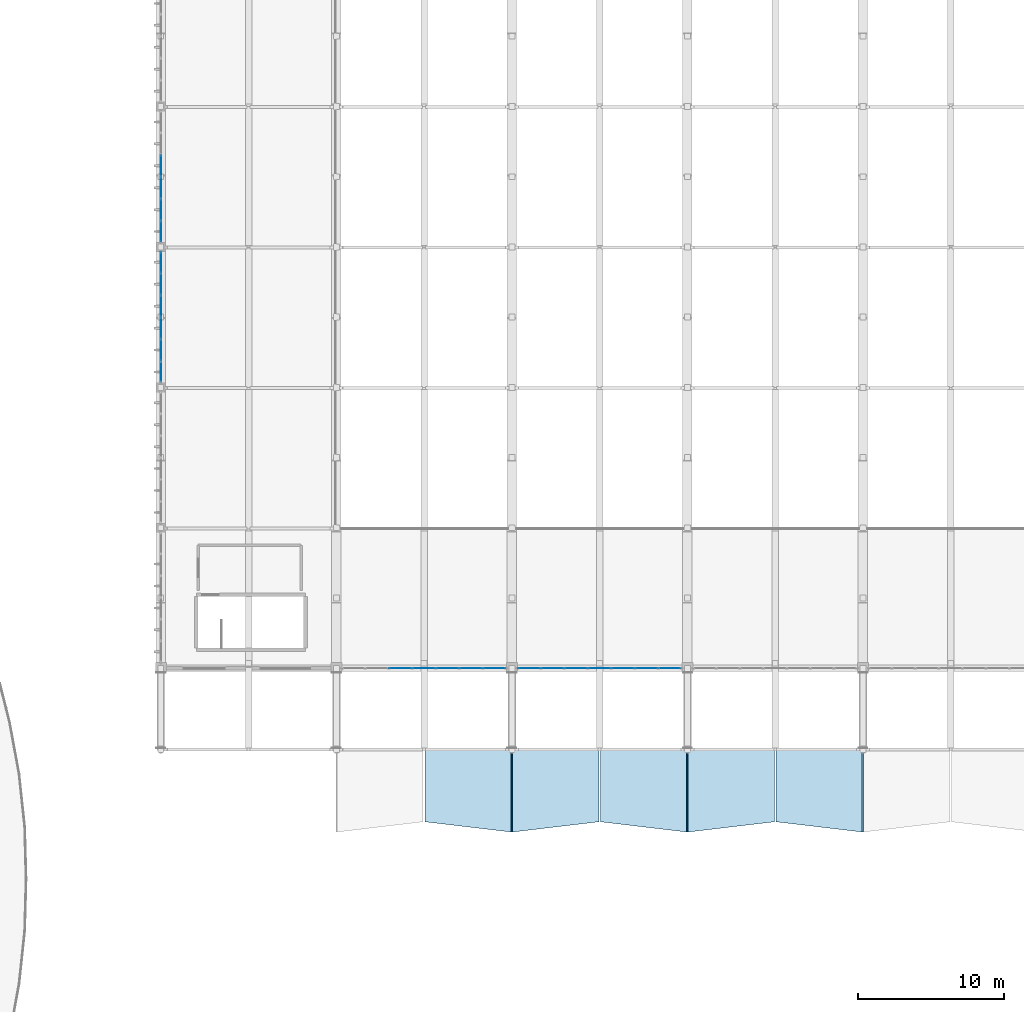
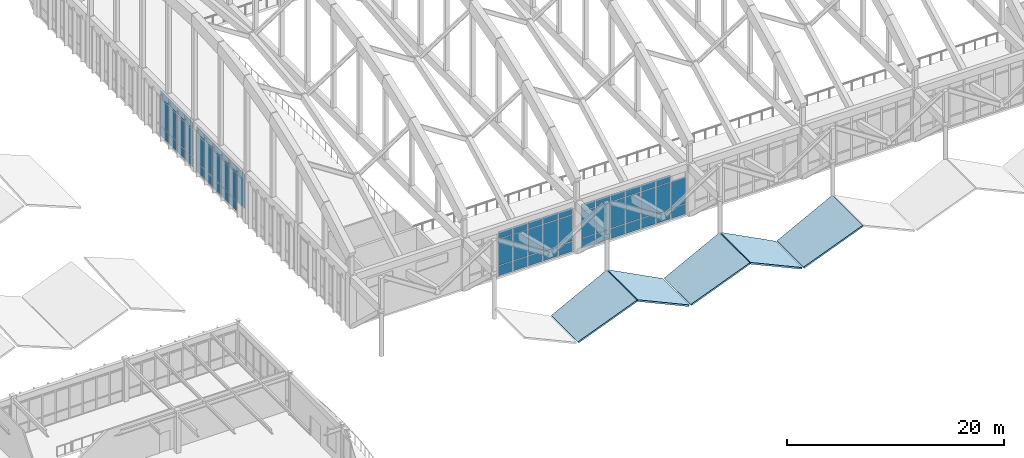
# One storey, part 190 of 236: 64 plates, 5 slabs, 4 elements without a shape of their own.
"""IFC4 building model written with IfcOpenShell, lengths in metres."""

from ifc_helpers import new_model, si_unit, direction, frame, origin, origin_2d, place, context, subcontext, project, spatial, polyline, rectangle, outline, extrude, material, layer, layer_set, type_object, element, aggregate, save


model = new_model("IFC4")

# Units and contexts
model_context = context("Model", 3, precision=1e-05, world=origin(), true_north=direction((0.0, 1.0)))
body_context = subcontext(model_context, "Body", "Model", "MODEL_VIEW")
ifc_project = project(units=[si_unit("LENGTHUNIT", "METRE"), si_unit("AREAUNIT", "SQUARE_METRE"), si_unit("VOLUMEUNIT", "CUBIC_METRE"), si_unit("PLANEANGLEUNIT", "RADIAN"), si_unit("MASSUNIT", "GRAM", prefix="KILO")], contexts=[model_context])

# Site, building, storey
site_placement = place(None, origin())
site = spatial("IfcSite", under=ifc_project, at=site_placement, CompositionType="ELEMENT")
building_placement = place(site_placement, origin())
building = spatial("IfcBuilding", under=site, at=building_placement, Name="Pandanus Reach Market Hall", CompositionType="ELEMENT")
storey_placement = place(building_placement, frame((0.0, 0.0, 5.39990234375)))
storey = spatial("IfcBuildingStorey", under=building, at=storey_placement, Name="L01", CompositionType="ELEMENT", Elevation=5.39990234375)

# Curtain wall, plates
ifc_material_1 = material(Name="Bronze anodised aluminium and low-E glass", Category="aluminium")
ifc_layer_1 = layer(ifc_material_1, 0.199951171875, Name="CW-02")
ifc_layer_set_1 = layer_set([ifc_layer_1], Name="Bronze anodised aluminium and low-E glass")
curtain_wall_type_1 = type_object("IfcCurtainWallType", Name="CW-02", PredefinedType="NOTDEFINED", material=ifc_layer_set_1)
curtain_wall_1_placement = place(storey_placement, origin())
curtain_wall_1 = element("IfcCurtainWall", 1, at=curtain_wall_1_placement, inside=storey, type_object=curtain_wall_type_1, Name="Glazed curtain wall CW-02 CW-0002", PredefinedType="NOTDEFINED")
ifc_material_2 = material(Name="Acoustic laminated solar double glazing", Category="glass")
ifc_layer_2 = layer(ifc_material_2, 0.031982421875, Name="CW-P2")
ifc_layer_set_2 = layer_set([ifc_layer_2], Name="Acoustic laminated solar double glazing")
plate_type = type_object("IfcPlateType", Name="CW-P2", PredefinedType="CURTAIN_PANEL", material=ifc_layer_set_2)
plate_1_placement = place(storey_placement, frame((64.392822265625, 28.800048828125, 0.0751953125), z_axis=(0.0, 0.0, 1.0), x_axis=(1.0, 0.0, 0.0)))
plate_1 = element("IfcPlate", 2, at=plate_1_placement, type_object=plate_type, Name="CW-02 panel 3.1", PredefinedType="CURTAIN_PANEL", context=body_context, shape_type="SweptSolid", body=[
    extrude(rectangle(XDim=1.5322265625, YDim=0.031982421875, at=origin_2d()), origin(), (0.0, 0.0, 1.0), 1.08740234375),
])
plate_2_placement = place(storey_placement, frame((64.392822265625, 28.800048828125, 1.23779296875), z_axis=(0.0, 0.0, 1.0), x_axis=(1.0, 0.0, 0.0)))
plate_2 = element("IfcPlate", 3, at=plate_2_placement, type_object=plate_type, Name="CW-02 panel 3.2", PredefinedType="CURTAIN_PANEL", context=body_context, shape_type="SweptSolid", body=[
    extrude(rectangle(XDim=1.5322265625, YDim=0.031982421875, at=origin_2d()), origin(), (0.0, 0.0, 1.0), 2.925048828125),
])
plate_3_placement = place(storey_placement, frame((64.392822265625, 28.800048828125, 4.237548828125), z_axis=(0.0, 0.0, 1.0), x_axis=(1.0, 0.0, 0.0)))
plate_3 = element("IfcPlate", 4, at=plate_3_placement, type_object=plate_type, Name="CW-02 panel 3.3", PredefinedType="CURTAIN_PANEL", context=body_context, shape_type="SweptSolid", body=[
    extrude(rectangle(XDim=1.5322265625, YDim=0.031982421875, at=origin_2d()), origin(), (0.0, 0.0, 1.0), 0.78759765625),
])
plate_4_placement = place(storey_placement, frame((66.0, 28.800048828125, 0.0751953125), z_axis=(0.0, 0.0, 1.0), x_axis=(1.0, 0.0, 0.0)))
plate_4 = element("IfcPlate", 5, at=plate_4_placement, type_object=plate_type, Name="CW-02 panel 4.1", PredefinedType="CURTAIN_PANEL", context=body_context, shape_type="SweptSolid", body=[
    extrude(rectangle(XDim=1.5322265625, YDim=0.031982421875, at=origin_2d()), origin(), (0.0, 0.0, 1.0), 1.08740234375),
])
plate_5_placement = place(storey_placement, frame((66.0, 28.800048828125, 1.23779296875), z_axis=(0.0, 0.0, 1.0), x_axis=(1.0, 0.0, 0.0)))
plate_5 = element("IfcPlate", 6, at=plate_5_placement, type_object=plate_type, Name="CW-02 panel 4.2", PredefinedType="CURTAIN_PANEL", context=body_context, shape_type="SweptSolid", body=[
    extrude(rectangle(XDim=1.5322265625, YDim=0.031982421875, at=origin_2d()), origin(), (0.0, 0.0, 1.0), 2.925048828125),
])
plate_6_placement = place(storey_placement, frame((66.0, 28.800048828125, 4.237548828125), z_axis=(0.0, 0.0, 1.0), x_axis=(1.0, 0.0, 0.0)))
plate_6 = element("IfcPlate", 7, at=plate_6_placement, type_object=plate_type, Name="CW-02 panel 4.3", PredefinedType="CURTAIN_PANEL", context=body_context, shape_type="SweptSolid", body=[
    extrude(rectangle(XDim=1.5322265625, YDim=0.031982421875, at=origin_2d()), origin(), (0.0, 0.0, 1.0), 0.78759765625),
])
plate_7_placement = place(storey_placement, frame((67.607177734375, 28.800048828125, 0.0751953125), z_axis=(0.0, 0.0, 1.0), x_axis=(1.0, 0.0, 0.0)))
plate_7 = element("IfcPlate", 8, at=plate_7_placement, type_object=plate_type, Name="CW-02 panel 5.1", PredefinedType="CURTAIN_PANEL", context=body_context, shape_type="SweptSolid", body=[
    extrude(rectangle(XDim=1.5322265625, YDim=0.031982421875, at=origin_2d()), origin(), (0.0, 0.0, 1.0), 1.08740234375),
])
plate_8_placement = place(storey_placement, frame((67.607177734375, 28.800048828125, 1.23779296875), z_axis=(0.0, 0.0, 1.0), x_axis=(1.0, 0.0, 0.0)))
plate_8 = element("IfcPlate", 9, at=plate_8_placement, type_object=plate_type, Name="CW-02 panel 5.2", PredefinedType="CURTAIN_PANEL", context=body_context, shape_type="SweptSolid", body=[
    extrude(rectangle(XDim=1.5322265625, YDim=0.031982421875, at=origin_2d()), origin(), (0.0, 0.0, 1.0), 2.925048828125),
])
plate_9_placement = place(storey_placement, frame((67.607177734375, 28.800048828125, 4.237548828125), z_axis=(0.0, 0.0, 1.0), x_axis=(1.0, 0.0, 0.0)))
plate_9 = element("IfcPlate", 10, at=plate_9_placement, type_object=plate_type, Name="CW-02 panel 5.3", PredefinedType="CURTAIN_PANEL", context=body_context, shape_type="SweptSolid", body=[
    extrude(rectangle(XDim=1.5322265625, YDim=0.031982421875, at=origin_2d()), origin(), (0.0, 0.0, 1.0), 0.78759765625),
])
plate_10_placement = place(storey_placement, frame((69.21435546875, 28.800048828125, 0.0751953125), z_axis=(0.0, 0.0, 1.0), x_axis=(1.0, 0.0, 0.0)))
plate_10 = element("IfcPlate", 11, at=plate_10_placement, type_object=plate_type, Name="CW-02 panel 6.1", PredefinedType="CURTAIN_PANEL", context=body_context, shape_type="SweptSolid", body=[
    extrude(rectangle(XDim=1.5322265625, YDim=0.031982421875, at=origin_2d()), origin(), (0.0, 0.0, 1.0), 1.08740234375),
])
plate_11_placement = place(storey_placement, frame((69.21435546875, 28.800048828125, 1.23779296875), z_axis=(0.0, 0.0, 1.0), x_axis=(1.0, 0.0, 0.0)))
plate_11 = element("IfcPlate", 12, at=plate_11_placement, type_object=plate_type, Name="CW-02 panel 6.2", PredefinedType="CURTAIN_PANEL", context=body_context, shape_type="SweptSolid", body=[
    extrude(rectangle(XDim=1.5322265625, YDim=0.031982421875, at=origin_2d()), origin(), (0.0, 0.0, 1.0), 2.925048828125),
])
plate_12_placement = place(storey_placement, frame((69.21435546875, 28.800048828125, 4.237548828125), z_axis=(0.0, 0.0, 1.0), x_axis=(1.0, 0.0, 0.0)))
plate_12 = element("IfcPlate", 13, at=plate_12_placement, type_object=plate_type, Name="CW-02 panel 6.3", PredefinedType="CURTAIN_PANEL", context=body_context, shape_type="SweptSolid", body=[
    extrude(rectangle(XDim=1.5322265625, YDim=0.031982421875, at=origin_2d()), origin(), (0.0, 0.0, 1.0), 0.78759765625),
])
plate_13_placement = place(storey_placement, frame((70.802734375, 28.800048828125, 0.0751953125), z_axis=(0.0, 0.0, 1.0), x_axis=(1.0, 0.0, 0.0)))
plate_13 = element("IfcPlate", 14, at=plate_13_placement, type_object=plate_type, Name="CW-02 panel 7.1", PredefinedType="CURTAIN_PANEL", context=body_context, shape_type="SweptSolid", body=[
    extrude(rectangle(XDim=1.49462890625, YDim=0.031982421875, at=origin_2d()), origin(), (0.0, 0.0, 1.0), 1.08740234375),
])
plate_14_placement = place(storey_placement, frame((70.802734375, 28.800048828125, 1.23779296875), z_axis=(0.0, 0.0, 1.0), x_axis=(1.0, 0.0, 0.0)))
plate_14 = element("IfcPlate", 15, at=plate_14_placement, type_object=plate_type, Name="CW-02 panel 7.2", PredefinedType="CURTAIN_PANEL", context=body_context, shape_type="SweptSolid", body=[
    extrude(rectangle(XDim=1.49462890625, YDim=0.031982421875, at=origin_2d()), origin(), (0.0, 0.0, 1.0), 2.925048828125),
])
plate_15_placement = place(storey_placement, frame((70.802734375, 28.800048828125, 4.237548828125), z_axis=(0.0, 0.0, 1.0), x_axis=(1.0, 0.0, 0.0)))
plate_15 = element("IfcPlate", 16, at=plate_15_placement, type_object=plate_type, Name="CW-02 panel 7.3", PredefinedType="CURTAIN_PANEL", context=body_context, shape_type="SweptSolid", body=[
    extrude(rectangle(XDim=1.49462890625, YDim=0.031982421875, at=origin_2d()), origin(), (0.0, 0.0, 1.0), 0.78759765625),
])
aggregate(curtain_wall_1, [plate_1, plate_2, plate_3, plate_4, plate_5, plate_6, plate_7, plate_8, plate_9, plate_10, plate_11, plate_12, plate_13, plate_14, plate_15])

curtain_wall_2_placement = place(storey_placement, origin())
curtain_wall_2 = element("IfcCurtainWall", 17, at=curtain_wall_2_placement, inside=storey, type_object=curtain_wall_type_1, Name="Glazed curtain wall CW-02 CW-0004", PredefinedType="NOTDEFINED")
plate_16_placement = place(storey_placement, frame((73.197265625, 28.800048828125, 0.0751953125), z_axis=(0.0, 0.0, 1.0), x_axis=(1.0, 0.0, 0.0)))
plate_16 = element("IfcPlate", 18, at=plate_16_placement, type_object=plate_type, Name="CW-02 panel 1.1", PredefinedType="CURTAIN_PANEL", context=body_context, shape_type="SweptSolid", body=[
    extrude(rectangle(XDim=1.49462890625, YDim=0.031982421875, at=origin_2d()), origin(), (0.0, 0.0, 1.0), 1.08740234375),
])
plate_17_placement = place(storey_placement, frame((73.197265625, 28.800048828125, 1.23779296875), z_axis=(0.0, 0.0, 1.0), x_axis=(1.0, 0.0, 0.0)))
plate_17 = element("IfcPlate", 19, at=plate_17_placement, type_object=plate_type, Name="CW-02 panel 1.2", PredefinedType="CURTAIN_PANEL", context=body_context, shape_type="SweptSolid", body=[
    extrude(rectangle(XDim=1.49462890625, YDim=0.031982421875, at=origin_2d()), origin(), (0.0, 0.0, 1.0), 2.925048828125),
])
plate_18_placement = place(storey_placement, frame((73.197265625, 28.800048828125, 4.237548828125), z_axis=(0.0, 0.0, 1.0), x_axis=(1.0, 0.0, 0.0)))
plate_18 = element("IfcPlate", 20, at=plate_18_placement, type_object=plate_type, Name="CW-02 panel 1.3", PredefinedType="CURTAIN_PANEL", context=body_context, shape_type="SweptSolid", body=[
    extrude(rectangle(XDim=1.49462890625, YDim=0.031982421875, at=origin_2d()), origin(), (0.0, 0.0, 1.0), 0.78759765625),
])
plate_19_placement = place(storey_placement, frame((74.78564453125, 28.800048828125, 0.0751953125), z_axis=(0.0, 0.0, 1.0), x_axis=(1.0, 0.0, 0.0)))
plate_19 = element("IfcPlate", 21, at=plate_19_placement, type_object=plate_type, Name="CW-02 panel 2.1", PredefinedType="CURTAIN_PANEL", context=body_context, shape_type="SweptSolid", body=[
    extrude(rectangle(XDim=1.5322265625, YDim=0.031982421875, at=origin_2d()), origin(), (0.0, 0.0, 1.0), 1.08740234375),
])
plate_20_placement = place(storey_placement, frame((74.78564453125, 28.800048828125, 1.23779296875), z_axis=(0.0, 0.0, 1.0), x_axis=(1.0, 0.0, 0.0)))
plate_20 = element("IfcPlate", 22, at=plate_20_placement, type_object=plate_type, Name="CW-02 panel 2.2", PredefinedType="CURTAIN_PANEL", context=body_context, shape_type="SweptSolid", body=[
    extrude(rectangle(XDim=1.5322265625, YDim=0.031982421875, at=origin_2d()), origin(), (0.0, 0.0, 1.0), 2.925048828125),
])
plate_21_placement = place(storey_placement, frame((74.78564453125, 28.800048828125, 4.237548828125), z_axis=(0.0, 0.0, 1.0), x_axis=(1.0, 0.0, 0.0)))
plate_21 = element("IfcPlate", 23, at=plate_21_placement, type_object=plate_type, Name="CW-02 panel 2.3", PredefinedType="CURTAIN_PANEL", context=body_context, shape_type="SweptSolid", body=[
    extrude(rectangle(XDim=1.5322265625, YDim=0.031982421875, at=origin_2d()), origin(), (0.0, 0.0, 1.0), 0.78759765625),
])
plate_22_placement = place(storey_placement, frame((76.392822265625, 28.800048828125, 0.0751953125), z_axis=(0.0, 0.0, 1.0), x_axis=(1.0, 0.0, 0.0)))
plate_22 = element("IfcPlate", 24, at=plate_22_placement, type_object=plate_type, Name="CW-02 panel 3.1", PredefinedType="CURTAIN_PANEL", context=body_context, shape_type="SweptSolid", body=[
    extrude(rectangle(XDim=1.5322265625, YDim=0.031982421875, at=origin_2d()), origin(), (0.0, 0.0, 1.0), 1.08740234375),
])
plate_23_placement = place(storey_placement, frame((76.392822265625, 28.800048828125, 1.23779296875), z_axis=(0.0, 0.0, 1.0), x_axis=(1.0, 0.0, 0.0)))
plate_23 = element("IfcPlate", 25, at=plate_23_placement, type_object=plate_type, Name="CW-02 panel 3.2", PredefinedType="CURTAIN_PANEL", context=body_context, shape_type="SweptSolid", body=[
    extrude(rectangle(XDim=1.5322265625, YDim=0.031982421875, at=origin_2d()), origin(), (0.0, 0.0, 1.0), 2.925048828125),
])
plate_24_placement = place(storey_placement, frame((76.392822265625, 28.800048828125, 4.237548828125), z_axis=(0.0, 0.0, 1.0), x_axis=(1.0, 0.0, 0.0)))
plate_24 = element("IfcPlate", 26, at=plate_24_placement, type_object=plate_type, Name="CW-02 panel 3.3", PredefinedType="CURTAIN_PANEL", context=body_context, shape_type="SweptSolid", body=[
    extrude(rectangle(XDim=1.5322265625, YDim=0.031982421875, at=origin_2d()), origin(), (0.0, 0.0, 1.0), 0.78759765625),
])
plate_25_placement = place(storey_placement, frame((78.0, 28.800048828125, 0.0751953125), z_axis=(0.0, 0.0, 1.0), x_axis=(1.0, 0.0, 0.0)))
plate_25 = element("IfcPlate", 27, at=plate_25_placement, type_object=plate_type, Name="CW-02 panel 4.1", PredefinedType="CURTAIN_PANEL", context=body_context, shape_type="SweptSolid", body=[
    extrude(rectangle(XDim=1.5322265625, YDim=0.031982421875, at=origin_2d()), origin(), (0.0, 0.0, 1.0), 1.08740234375),
])
plate_26_placement = place(storey_placement, frame((78.0, 28.800048828125, 1.23779296875), z_axis=(0.0, 0.0, 1.0), x_axis=(1.0, 0.0, 0.0)))
plate_26 = element("IfcPlate", 28, at=plate_26_placement, type_object=plate_type, Name="CW-02 panel 4.2", PredefinedType="CURTAIN_PANEL", context=body_context, shape_type="SweptSolid", body=[
    extrude(rectangle(XDim=1.5322265625, YDim=0.031982421875, at=origin_2d()), origin(), (0.0, 0.0, 1.0), 2.925048828125),
])
plate_27_placement = place(storey_placement, frame((78.0, 28.800048828125, 4.237548828125), z_axis=(0.0, 0.0, 1.0), x_axis=(1.0, 0.0, 0.0)))
plate_27 = element("IfcPlate", 29, at=plate_27_placement, type_object=plate_type, Name="CW-02 panel 4.3", PredefinedType="CURTAIN_PANEL", context=body_context, shape_type="SweptSolid", body=[
    extrude(rectangle(XDim=1.5322265625, YDim=0.031982421875, at=origin_2d()), origin(), (0.0, 0.0, 1.0), 0.78759765625),
])
plate_28_placement = place(storey_placement, frame((79.607177734375, 28.800048828125, 0.0751953125), z_axis=(0.0, 0.0, 1.0), x_axis=(1.0, 0.0, 0.0)))
plate_28 = element("IfcPlate", 30, at=plate_28_placement, type_object=plate_type, Name="CW-02 panel 5.1", PredefinedType="CURTAIN_PANEL", context=body_context, shape_type="SweptSolid", body=[
    extrude(rectangle(XDim=1.5322265625, YDim=0.031982421875, at=origin_2d()), origin(), (0.0, 0.0, 1.0), 1.08740234375),
])
plate_29_placement = place(storey_placement, frame((79.607177734375, 28.800048828125, 1.23779296875), z_axis=(0.0, 0.0, 1.0), x_axis=(1.0, 0.0, 0.0)))
plate_29 = element("IfcPlate", 31, at=plate_29_placement, type_object=plate_type, Name="CW-02 panel 5.2", PredefinedType="CURTAIN_PANEL", context=body_context, shape_type="SweptSolid", body=[
    extrude(rectangle(XDim=1.5322265625, YDim=0.031982421875, at=origin_2d()), origin(), (0.0, 0.0, 1.0), 2.925048828125),
])
plate_30_placement = place(storey_placement, frame((79.607177734375, 28.800048828125, 4.237548828125), z_axis=(0.0, 0.0, 1.0), x_axis=(1.0, 0.0, 0.0)))
plate_30 = element("IfcPlate", 32, at=plate_30_placement, type_object=plate_type, Name="CW-02 panel 5.3", PredefinedType="CURTAIN_PANEL", context=body_context, shape_type="SweptSolid", body=[
    extrude(rectangle(XDim=1.5322265625, YDim=0.031982421875, at=origin_2d()), origin(), (0.0, 0.0, 1.0), 0.78759765625),
])
plate_31_placement = place(storey_placement, frame((81.21435546875, 28.800048828125, 0.0751953125), z_axis=(0.0, 0.0, 1.0), x_axis=(1.0, 0.0, 0.0)))
plate_31 = element("IfcPlate", 33, at=plate_31_placement, type_object=plate_type, Name="CW-02 panel 6.1", PredefinedType="CURTAIN_PANEL", context=body_context, shape_type="SweptSolid", body=[
    extrude(rectangle(XDim=1.5322265625, YDim=0.031982421875, at=origin_2d()), origin(), (0.0, 0.0, 1.0), 1.08740234375),
])
plate_32_placement = place(storey_placement, frame((81.21435546875, 28.800048828125, 1.23779296875), z_axis=(0.0, 0.0, 1.0), x_axis=(1.0, 0.0, 0.0)))
plate_32 = element("IfcPlate", 34, at=plate_32_placement, type_object=plate_type, Name="CW-02 panel 6.2", PredefinedType="CURTAIN_PANEL", context=body_context, shape_type="SweptSolid", body=[
    extrude(rectangle(XDim=1.5322265625, YDim=0.031982421875, at=origin_2d()), origin(), (0.0, 0.0, 1.0), 2.925048828125),
])
plate_33_placement = place(storey_placement, frame((81.21435546875, 28.800048828125, 4.237548828125), z_axis=(0.0, 0.0, 1.0), x_axis=(1.0, 0.0, 0.0)))
plate_33 = element("IfcPlate", 35, at=plate_33_placement, type_object=plate_type, Name="CW-02 panel 6.3", PredefinedType="CURTAIN_PANEL", context=body_context, shape_type="SweptSolid", body=[
    extrude(rectangle(XDim=1.5322265625, YDim=0.031982421875, at=origin_2d()), origin(), (0.0, 0.0, 1.0), 0.78759765625),
])
plate_34_placement = place(storey_placement, frame((82.802734375, 28.800048828125, 0.0751953125), z_axis=(0.0, 0.0, 1.0), x_axis=(1.0, 0.0, 0.0)))
plate_34 = element("IfcPlate", 36, at=plate_34_placement, type_object=plate_type, Name="CW-02 panel 7.1", PredefinedType="CURTAIN_PANEL", context=body_context, shape_type="SweptSolid", body=[
    extrude(rectangle(XDim=1.49462890625, YDim=0.031982421875, at=origin_2d()), origin(), (0.0, 0.0, 1.0), 1.08740234375),
])
plate_35_placement = place(storey_placement, frame((82.802734375, 28.800048828125, 1.23779296875), z_axis=(0.0, 0.0, 1.0), x_axis=(1.0, 0.0, 0.0)))
plate_35 = element("IfcPlate", 37, at=plate_35_placement, type_object=plate_type, Name="CW-02 panel 7.2", PredefinedType="CURTAIN_PANEL", context=body_context, shape_type="SweptSolid", body=[
    extrude(rectangle(XDim=1.49462890625, YDim=0.031982421875, at=origin_2d()), origin(), (0.0, 0.0, 1.0), 2.925048828125),
])
aggregate(curtain_wall_2, [plate_16, plate_17, plate_18, plate_19, plate_20, plate_21, plate_22, plate_23, plate_24, plate_25, plate_26, plate_27, plate_28, plate_29, plate_30, plate_31, plate_32, plate_33, plate_34, plate_35])

ifc_layer_3 = layer(ifc_material_1, 0.199951171875, Name="CW-05")
ifc_layer_set_3 = layer_set([ifc_layer_3], Name="Bronze anodised aluminium and low-E glass")
curtain_wall_type_2 = type_object("IfcCurtainWallType", Name="CW-05", PredefinedType="NOTDEFINED", material=ifc_layer_set_3)
curtain_wall_3_placement = place(storey_placement, origin())
curtain_wall_3 = element("IfcCurtainWall", 38, at=curtain_wall_3_placement, inside=storey, type_object=curtain_wall_type_2, Name="Glazed curtain wall CW-05 CW-0025", PredefinedType="NOTDEFINED")
plate_36_placement = place(storey_placement, frame((48.0, 49.06884765625, 1.237548828125), z_axis=(0.0, 0.0, 1.0), x_axis=(0.0, 1.0, 0.0)))
plate_36 = element("IfcPlate", 39, at=plate_36_placement, type_object=plate_type, Name="CW-05 panel 1.2", PredefinedType="CURTAIN_PANEL", context=body_context, shape_type="SweptSolid", body=[
    extrude(rectangle(XDim=1.387451171875, YDim=0.031982421875, at=origin_2d()), origin(), (0.0, 0.0, 1.0), 3.02490234375),
])
plate_37_placement = place(storey_placement, frame((48.0, 49.06884765625, 4.337646484375), z_axis=(0.0, 0.0, 1.0), x_axis=(0.0, 1.0, 0.0)))
plate_37 = element("IfcPlate", 40, at=plate_37_placement, type_object=plate_type, Name="CW-05 panel 1.3", PredefinedType="CURTAIN_PANEL", context=body_context, shape_type="SweptSolid", body=[
    extrude(rectangle(XDim=1.387451171875, YDim=0.031982421875, at=origin_2d()), origin(), (0.0, 0.0, 1.0), 0.78759765625),
])
plate_38_placement = place(storey_placement, frame((48.0, 50.550048828125, 0.0751953125), z_axis=(0.0, 0.0, 1.0), x_axis=(0.0, 1.0, 0.0)))
plate_38 = element("IfcPlate", 41, at=plate_38_placement, type_object=plate_type, Name="CW-05 panel 2.1", PredefinedType="CURTAIN_PANEL", context=body_context, shape_type="SweptSolid", body=[
    extrude(rectangle(XDim=1.425048828125, YDim=0.031982421875, at=origin_2d()), origin(), (0.0, 0.0, 1.0), 1.08740234375),
])
plate_39_placement = place(storey_placement, frame((48.0, 50.550048828125, 1.237548828125), z_axis=(0.0, 0.0, 1.0), x_axis=(0.0, 1.0, 0.0)))
plate_39 = element("IfcPlate", 42, at=plate_39_placement, type_object=plate_type, Name="CW-05 panel 2.2", PredefinedType="CURTAIN_PANEL", context=body_context, shape_type="SweptSolid", body=[
    extrude(rectangle(XDim=1.425048828125, YDim=0.031982421875, at=origin_2d()), origin(), (0.0, 0.0, 1.0), 3.02490234375),
])
plate_40_placement = place(storey_placement, frame((48.0, 50.550048828125, 4.337646484375), z_axis=(0.0, 0.0, 1.0), x_axis=(0.0, 1.0, 0.0)))
plate_40 = element("IfcPlate", 43, at=plate_40_placement, type_object=plate_type, Name="CW-05 panel 2.3", PredefinedType="CURTAIN_PANEL", context=body_context, shape_type="SweptSolid", body=[
    extrude(rectangle(XDim=1.425048828125, YDim=0.031982421875, at=origin_2d()), origin(), (0.0, 0.0, 1.0), 0.78759765625),
])
plate_41_placement = place(storey_placement, frame((48.0, 52.050048828125, 0.0751953125), z_axis=(0.0, 0.0, 1.0), x_axis=(0.0, 1.0, 0.0)))
plate_41 = element("IfcPlate", 44, at=plate_41_placement, type_object=plate_type, Name="CW-05 panel 3.1", PredefinedType="CURTAIN_PANEL", context=body_context, shape_type="SweptSolid", body=[
    extrude(rectangle(XDim=1.425048828125, YDim=0.031982421875, at=origin_2d()), origin(), (0.0, 0.0, 1.0), 1.08740234375),
])
plate_42_placement = place(storey_placement, frame((48.0, 52.050048828125, 1.237548828125), z_axis=(0.0, 0.0, 1.0), x_axis=(0.0, 1.0, 0.0)))
plate_42 = element("IfcPlate", 45, at=plate_42_placement, type_object=plate_type, Name="CW-05 panel 3.2", PredefinedType="CURTAIN_PANEL", context=body_context, shape_type="SweptSolid", body=[
    extrude(rectangle(XDim=1.425048828125, YDim=0.031982421875, at=origin_2d()), origin(), (0.0, 0.0, 1.0), 3.02490234375),
])
plate_43_placement = place(storey_placement, frame((48.0, 52.050048828125, 4.337646484375), z_axis=(0.0, 0.0, 1.0), x_axis=(0.0, 1.0, 0.0)))
plate_43 = element("IfcPlate", 46, at=plate_43_placement, type_object=plate_type, Name="CW-05 panel 3.3", PredefinedType="CURTAIN_PANEL", context=body_context, shape_type="SweptSolid", body=[
    extrude(rectangle(XDim=1.425048828125, YDim=0.031982421875, at=origin_2d()), origin(), (0.0, 0.0, 1.0), 0.78759765625),
])
plate_44_placement = place(storey_placement, frame((48.0, 53.550048828125, 0.0751953125), z_axis=(0.0, 0.0, 1.0), x_axis=(0.0, 1.0, 0.0)))
plate_44 = element("IfcPlate", 47, at=plate_44_placement, type_object=plate_type, Name="CW-05 panel 4.1", PredefinedType="CURTAIN_PANEL", context=body_context, shape_type="SweptSolid", body=[
    extrude(rectangle(XDim=1.425048828125, YDim=0.031982421875, at=origin_2d()), origin(), (0.0, 0.0, 1.0), 1.08740234375),
])
plate_45_placement = place(storey_placement, frame((48.0, 53.550048828125, 1.237548828125), z_axis=(0.0, 0.0, 1.0), x_axis=(0.0, 1.0, 0.0)))
plate_45 = element("IfcPlate", 48, at=plate_45_placement, type_object=plate_type, Name="CW-05 panel 4.2", PredefinedType="CURTAIN_PANEL", context=body_context, shape_type="SweptSolid", body=[
    extrude(rectangle(XDim=1.425048828125, YDim=0.031982421875, at=origin_2d()), origin(), (0.0, 0.0, 1.0), 3.02490234375),
])
plate_46_placement = place(storey_placement, frame((48.0, 53.550048828125, 4.337646484375), z_axis=(0.0, 0.0, 1.0), x_axis=(0.0, 1.0, 0.0)))
plate_46 = element("IfcPlate", 49, at=plate_46_placement, type_object=plate_type, Name="CW-05 panel 4.3", PredefinedType="CURTAIN_PANEL", context=body_context, shape_type="SweptSolid", body=[
    extrude(rectangle(XDim=1.425048828125, YDim=0.031982421875, at=origin_2d()), origin(), (0.0, 0.0, 1.0), 0.78759765625),
])
plate_47_placement = place(storey_placement, frame((48.0, 55.050048828125, 0.0751953125), z_axis=(0.0, 0.0, 1.0), x_axis=(0.0, 1.0, 0.0)))
plate_47 = element("IfcPlate", 50, at=plate_47_placement, type_object=plate_type, Name="CW-05 panel 5.1", PredefinedType="CURTAIN_PANEL", context=body_context, shape_type="SweptSolid", body=[
    extrude(rectangle(XDim=1.425048828125, YDim=0.031982421875, at=origin_2d()), origin(), (0.0, 0.0, 1.0), 1.08740234375),
])
plate_48_placement = place(storey_placement, frame((48.0, 55.050048828125, 1.237548828125), z_axis=(0.0, 0.0, 1.0), x_axis=(0.0, 1.0, 0.0)))
plate_48 = element("IfcPlate", 51, at=plate_48_placement, type_object=plate_type, Name="CW-05 panel 5.2", PredefinedType="CURTAIN_PANEL", context=body_context, shape_type="SweptSolid", body=[
    extrude(rectangle(XDim=1.425048828125, YDim=0.031982421875, at=origin_2d()), origin(), (0.0, 0.0, 1.0), 3.02490234375),
])
plate_49_placement = place(storey_placement, frame((48.0, 55.050048828125, 4.337646484375), z_axis=(0.0, 0.0, 1.0), x_axis=(0.0, 1.0, 0.0)))
plate_49 = element("IfcPlate", 52, at=plate_49_placement, type_object=plate_type, Name="CW-05 panel 5.3", PredefinedType="CURTAIN_PANEL", context=body_context, shape_type="SweptSolid", body=[
    extrude(rectangle(XDim=1.425048828125, YDim=0.031982421875, at=origin_2d()), origin(), (0.0, 0.0, 1.0), 0.78759765625),
])
plate_50_placement = place(storey_placement, frame((48.0, 56.53125, 0.0751953125), z_axis=(0.0, 0.0, 1.0), x_axis=(0.0, 1.0, 0.0)))
plate_50 = element("IfcPlate", 53, at=plate_50_placement, type_object=plate_type, Name="CW-05 panel 6.1", PredefinedType="CURTAIN_PANEL", context=body_context, shape_type="SweptSolid", body=[
    extrude(rectangle(XDim=1.387451171875, YDim=0.031982421875, at=origin_2d()), origin(), (0.0, 0.0, 1.0), 1.08740234375),
])
plate_51_placement = place(storey_placement, frame((48.0, 56.53125, 1.237548828125), z_axis=(0.0, 0.0, 1.0), x_axis=(0.0, 1.0, 0.0)))
plate_51 = element("IfcPlate", 54, at=plate_51_placement, type_object=plate_type, Name="CW-05 panel 6.2", PredefinedType="CURTAIN_PANEL", context=body_context, shape_type="SweptSolid", body=[
    extrude(rectangle(XDim=1.387451171875, YDim=0.031982421875, at=origin_2d()), origin(), (0.0, 0.0, 1.0), 3.02490234375),
])
plate_52_placement = place(storey_placement, frame((48.0, 56.53125, 4.337646484375), z_axis=(0.0, 0.0, 1.0), x_axis=(0.0, 1.0, 0.0)))
plate_52 = element("IfcPlate", 55, at=plate_52_placement, type_object=plate_type, Name="CW-05 panel 6.3", PredefinedType="CURTAIN_PANEL", context=body_context, shape_type="SweptSolid", body=[
    extrude(rectangle(XDim=1.387451171875, YDim=0.031982421875, at=origin_2d()), origin(), (0.0, 0.0, 1.0), 0.78759765625),
])
aggregate(curtain_wall_3, [plate_36, plate_37, plate_38, plate_39, plate_40, plate_41, plate_42, plate_43, plate_44, plate_45, plate_46, plate_47, plate_48, plate_49, plate_50, plate_51, plate_52])

curtain_wall_4_placement = place(storey_placement, origin())
curtain_wall_4 = element("IfcCurtainWall", 56, at=curtain_wall_4_placement, inside=storey, type_object=curtain_wall_type_2, Name="Glazed curtain wall CW-05 CW-0029", PredefinedType="NOTDEFINED")
plate_53_placement = place(storey_placement, frame((48.0, 58.668701171875, 0.0751953125), z_axis=(0.0, 0.0, 1.0), x_axis=(0.0, 1.0, 0.0)))
plate_53 = element("IfcPlate", 57, at=plate_53_placement, type_object=plate_type, Name="CW-05 panel 1.1", PredefinedType="CURTAIN_PANEL", context=body_context, shape_type="SweptSolid", body=[
    extrude(rectangle(XDim=1.387451171875, YDim=0.031982421875, at=origin_2d()), origin(), (0.0, 0.0, 1.0), 1.08740234375),
])
plate_54_placement = place(storey_placement, frame((48.0, 58.668701171875, 1.237548828125), z_axis=(0.0, 0.0, 1.0), x_axis=(0.0, 1.0, 0.0)))
plate_54 = element("IfcPlate", 58, at=plate_54_placement, type_object=plate_type, Name="CW-05 panel 1.2", PredefinedType="CURTAIN_PANEL", context=body_context, shape_type="SweptSolid", body=[
    extrude(rectangle(XDim=1.387451171875, YDim=0.031982421875, at=origin_2d()), origin(), (0.0, 0.0, 1.0), 3.02490234375),
])
plate_55_placement = place(storey_placement, frame((48.0, 58.668701171875, 4.337646484375), z_axis=(0.0, 0.0, 1.0), x_axis=(0.0, 1.0, 0.0)))
plate_55 = element("IfcPlate", 59, at=plate_55_placement, type_object=plate_type, Name="CW-05 panel 1.3", PredefinedType="CURTAIN_PANEL", context=body_context, shape_type="SweptSolid", body=[
    extrude(rectangle(XDim=1.387451171875, YDim=0.031982421875, at=origin_2d()), origin(), (0.0, 0.0, 1.0), 0.78759765625),
])
plate_56_placement = place(storey_placement, frame((48.0, 60.14990234375, 0.0751953125), z_axis=(0.0, 0.0, 1.0), x_axis=(0.0, 1.0, 0.0)))
plate_56 = element("IfcPlate", 60, at=plate_56_placement, type_object=plate_type, Name="CW-05 panel 2.1", PredefinedType="CURTAIN_PANEL", context=body_context, shape_type="SweptSolid", body=[
    extrude(rectangle(XDim=1.425048828125, YDim=0.031982421875, at=origin_2d()), origin(), (0.0, 0.0, 1.0), 1.08740234375),
])
plate_57_placement = place(storey_placement, frame((48.0, 60.14990234375, 1.237548828125), z_axis=(0.0, 0.0, 1.0), x_axis=(0.0, 1.0, 0.0)))
plate_57 = element("IfcPlate", 61, at=plate_57_placement, type_object=plate_type, Name="CW-05 panel 2.2", PredefinedType="CURTAIN_PANEL", context=body_context, shape_type="SweptSolid", body=[
    extrude(rectangle(XDim=1.425048828125, YDim=0.031982421875, at=origin_2d()), origin(), (0.0, 0.0, 1.0), 3.02490234375),
])
plate_58_placement = place(storey_placement, frame((48.0, 60.14990234375, 4.337646484375), z_axis=(0.0, 0.0, 1.0), x_axis=(0.0, 1.0, 0.0)))
plate_58 = element("IfcPlate", 62, at=plate_58_placement, type_object=plate_type, Name="CW-05 panel 2.3", PredefinedType="CURTAIN_PANEL", context=body_context, shape_type="SweptSolid", body=[
    extrude(rectangle(XDim=1.425048828125, YDim=0.031982421875, at=origin_2d()), origin(), (0.0, 0.0, 1.0), 0.78759765625),
])
plate_59_placement = place(storey_placement, frame((48.0, 61.64990234375, 0.0751953125), z_axis=(0.0, 0.0, 1.0), x_axis=(0.0, 1.0, 0.0)))
plate_59 = element("IfcPlate", 63, at=plate_59_placement, type_object=plate_type, Name="CW-05 panel 3.1", PredefinedType="CURTAIN_PANEL", context=body_context, shape_type="SweptSolid", body=[
    extrude(rectangle(XDim=1.425048828125, YDim=0.031982421875, at=origin_2d()), origin(), (0.0, 0.0, 1.0), 1.08740234375),
])
plate_60_placement = place(storey_placement, frame((48.0, 61.64990234375, 1.237548828125), z_axis=(0.0, 0.0, 1.0), x_axis=(0.0, 1.0, 0.0)))
plate_60 = element("IfcPlate", 64, at=plate_60_placement, type_object=plate_type, Name="CW-05 panel 3.2", PredefinedType="CURTAIN_PANEL", context=body_context, shape_type="SweptSolid", body=[
    extrude(rectangle(XDim=1.425048828125, YDim=0.031982421875, at=origin_2d()), origin(), (0.0, 0.0, 1.0), 3.02490234375),
])
plate_61_placement = place(storey_placement, frame((48.0, 61.64990234375, 4.337646484375), z_axis=(0.0, 0.0, 1.0), x_axis=(0.0, 1.0, 0.0)))
plate_61 = element("IfcPlate", 65, at=plate_61_placement, type_object=plate_type, Name="CW-05 panel 3.3", PredefinedType="CURTAIN_PANEL", context=body_context, shape_type="SweptSolid", body=[
    extrude(rectangle(XDim=1.425048828125, YDim=0.031982421875, at=origin_2d()), origin(), (0.0, 0.0, 1.0), 0.78759765625),
])
plate_62_placement = place(storey_placement, frame((48.0, 63.14990234375, 0.0751953125), z_axis=(0.0, 0.0, 1.0), x_axis=(0.0, 1.0, 0.0)))
plate_62 = element("IfcPlate", 66, at=plate_62_placement, type_object=plate_type, Name="CW-05 panel 4.1", PredefinedType="CURTAIN_PANEL", context=body_context, shape_type="SweptSolid", body=[
    extrude(rectangle(XDim=1.425048828125, YDim=0.031982421875, at=origin_2d()), origin(), (0.0, 0.0, 1.0), 1.08740234375),
])
plate_63_placement = place(storey_placement, frame((48.0, 63.14990234375, 1.237548828125), z_axis=(0.0, 0.0, 1.0), x_axis=(0.0, 1.0, 0.0)))
plate_63 = element("IfcPlate", 67, at=plate_63_placement, type_object=plate_type, Name="CW-05 panel 4.2", PredefinedType="CURTAIN_PANEL", context=body_context, shape_type="SweptSolid", body=[
    extrude(rectangle(XDim=1.425048828125, YDim=0.031982421875, at=origin_2d()), origin(), (0.0, 0.0, 1.0), 3.02490234375),
])
plate_64_placement = place(storey_placement, frame((48.0, 63.14990234375, 4.337646484375), z_axis=(0.0, 0.0, 1.0), x_axis=(0.0, 1.0, 0.0)))
plate_64 = element("IfcPlate", 68, at=plate_64_placement, type_object=plate_type, Name="CW-05 panel 4.3", PredefinedType="CURTAIN_PANEL", context=body_context, shape_type="SweptSolid", body=[
    extrude(rectangle(XDim=1.425048828125, YDim=0.031982421875, at=origin_2d()), origin(), (0.0, 0.0, 1.0), 0.78759765625),
])
aggregate(curtain_wall_4, [plate_53, plate_54, plate_55, plate_56, plate_57, plate_58, plate_59, plate_60, plate_61, plate_62, plate_63, plate_64])

# Slabs
ifc_material_3 = material(Name="Concrete N50 (50 MPa)", Category="concrete")
ifc_layer_4 = layer(ifc_material_3, 0.179931640625, Name="RF-CNP-180")
ifc_layer_set_4 = layer_set([ifc_layer_4], Name="Concrete N50 (50 MPa)")
slab_type = type_object("IfcSlabType", Name="RF-CNP-180", PredefinedType="ROOF", material=ifc_layer_set_4)
slab_1_placement = place(storey_placement, frame((66.06005859375, 18.300048828125, -1.835205078125), z_axis=(-0.461352736642, 0.0, 0.887216801235), x_axis=(0.882326029865, -0.104855076793, 0.45880953553)))
element("IfcSlab", 69, at=slab_1_placement, inside=storey, type_object=slab_type, Name="Forecourt zigzag canopy slab C1E", PredefinedType="ROOF", context=body_context, shape_type="SweptSolid", body=[
    extrude(outline(polyline([(0.0, 0.0), (6.67541518527454, 0.0), (6.088242114865908, 5.568984394110346), (-0.5137796365305507, 4.872891694196915), (0.0, 0.0)])), origin(), (0.0, 0.0, -1.0), 0.179931640625),
])
slab_2_placement = place(storey_placement, frame((72.050048828125, 17.60009765625, 1.2275390625), z_axis=(0.461352736642, 0.0, 0.887216801235), x_axis=(0.882326029865, 0.104855076793, -0.45880953553)))
element("IfcSlab", 70, at=slab_2_placement, inside=storey, type_object=slab_type, Name="Forecourt zigzag canopy slab C2W", PredefinedType="ROOF", context=body_context, shape_type="SweptSolid", body=[
    extrude(outline(polyline([(0.0, 0.0), (6.67541518527454, 0.0), (7.18919482180509, 4.872891694196915), (0.5871730704086318, 5.568984394110346), (0.0, 0.0)])), origin(), (0.0, 0.0, -1.0), 0.179931640625),
])
slab_3_placement = place(storey_placement, frame((78.06005859375, 18.300048828125, -1.835205078125), z_axis=(-0.461352736642, 0.0, 0.887216801235), x_axis=(0.882326029865, -0.104855076793, 0.45880953553)))
element("IfcSlab", 71, at=slab_3_placement, inside=storey, type_object=slab_type, Name="Forecourt zigzag canopy slab C2E", PredefinedType="ROOF", context=body_context, shape_type="SweptSolid", body=[
    extrude(outline(polyline([(0.0, 0.0), (6.67541518527454, 0.0), (6.088242114865908, 5.568984394110346), (-0.5137796365305507, 4.872891694196915), (0.0, 0.0)])), origin(), (0.0, 0.0, -1.0), 0.179931640625),
])
slab_4_placement = place(storey_placement, frame((84.050048828125, 17.60009765625, 1.2275390625), z_axis=(0.461352736642, 0.0, 0.887216801235), x_axis=(0.882326029865, 0.104855076793, -0.45880953553)))
element("IfcSlab", 72, at=slab_4_placement, inside=storey, type_object=slab_type, Name="Forecourt zigzag canopy slab C3W", PredefinedType="ROOF", context=body_context, shape_type="SweptSolid", body=[
    extrude(outline(polyline([(0.0, 0.0), (6.67541518527454, 0.0), (7.18919482180509, 4.872891694196915), (0.5871730704086318, 5.568984394110346), (0.0, 0.0)])), origin(), (0.0, 0.0, -1.0), 0.179931640625),
])
slab_5_placement = place(storey_placement, frame((90.06005859375, 18.300048828125, -1.835205078125), z_axis=(-0.461352736642, 0.0, 0.887216801235), x_axis=(0.882326029865, -0.104855076793, 0.45880953553)))
element("IfcSlab", 73, at=slab_5_placement, inside=storey, type_object=slab_type, Name="Forecourt zigzag canopy slab C3E", PredefinedType="ROOF", context=body_context, shape_type="SweptSolid", body=[
    extrude(outline(polyline([(0.0, 0.0), (6.67541518527454, 0.0), (6.088242114865908, 5.568984394110346), (-0.5137796365305507, 4.872891694196915), (0.0, 0.0)])), origin(), (0.0, 0.0, -1.0), 0.179931640625),
])

save(model, "model.ifc")
